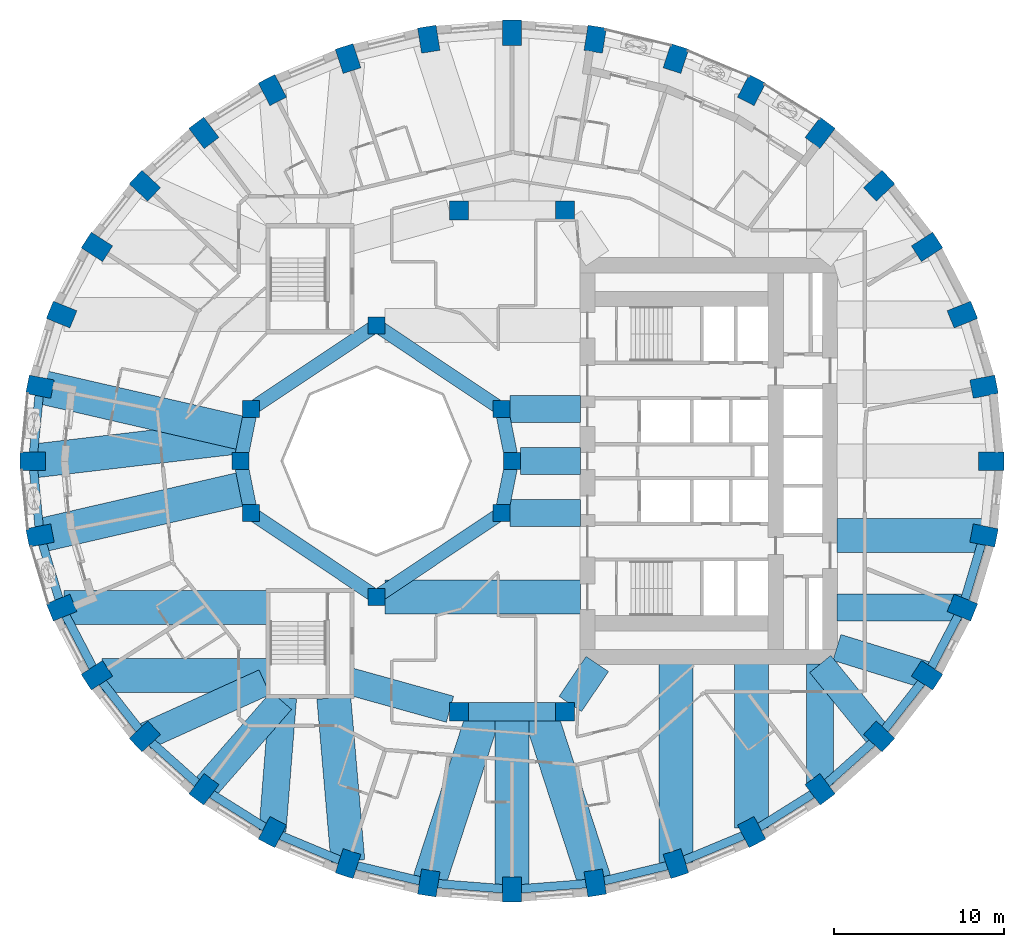
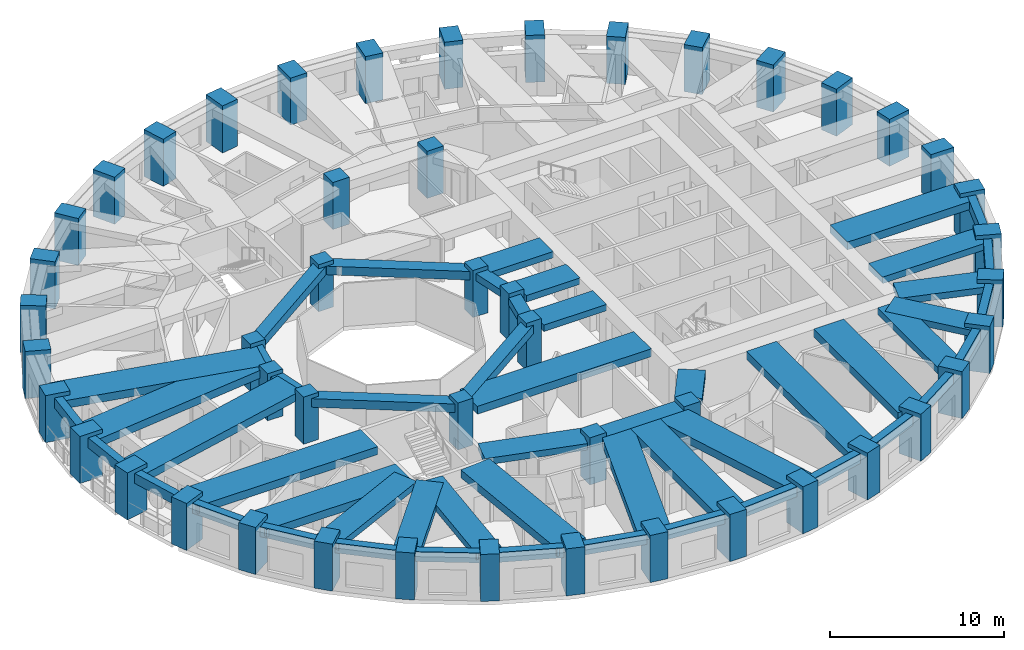
# One storey, part 1 of 13: 52 beams, 48 columns.
"""IFC4 building model written with IfcOpenShell, lengths in metres."""

from ifc_helpers import new_model, si_unit, direction, frame, origin, origin_2d, place, context, subcontext, project, spatial, rectangle, extrude, material, material_profile, profile_set, type_object, element, save


model = new_model("IFC4")

# Units and contexts
model_context = context("Model", 3, precision=1e-05, world=origin(), true_north=direction((0.0, 1.0)))
body_context = subcontext(model_context, "Body", "Model", "MODEL_VIEW")
ifc_project = project(units=[si_unit("LENGTHUNIT", "METRE"), si_unit("AREAUNIT", "SQUARE_METRE"), si_unit("VOLUMEUNIT", "CUBIC_METRE"), si_unit("PLANEANGLEUNIT", "RADIAN"), si_unit("MASSUNIT", "GRAM", prefix="KILO")], contexts=[model_context])

# Site, building, storey
site_placement = place(None, origin())
site = spatial("IfcSite", under=ifc_project, at=site_placement, CompositionType="ELEMENT")
building_placement = place(site_placement, origin())
building = spatial("IfcBuilding", under=site, at=building_placement, Name="Taillehof Tower", CompositionType="ELEMENT")
storey_placement = place(building_placement, frame((0.0, 0.0, 67.89990234375)))
storey = spatial("IfcBuildingStorey", under=building, at=storey_placement, Name="L18", CompositionType="ELEMENT", Elevation=67.89990234375)

# Columns
ifc_material_1 = material(Name="Concrete C50/60", Category="concrete")
ifc_material_profile_1 = material_profile(ifc_material_1, rectangle(XDim=1.0, YDim=1.0, at=origin_2d()), Name="RC 1000x1000")
ifc_profile_set_1 = profile_set([ifc_material_profile_1], Name="Concrete C50/60")
column_type_1 = type_object("IfcColumnType", Name="Atrium ring column C50/60 1000x1000", PredefinedType="COLUMN", material=ifc_profile_set_1)
for number, where, z_axis, x_axis, name in (
    (1, (0.0, 0.0, 0.0), (0.0, 0.0, 1.0), (1.0, 0.0, 0.0), "Column AC01"),
    (2, (-0.60888671875, 3.0615234375, 0.0), (0.0, 0.0, 1.0), (1.0, 0.0, 0.0), "Column AC02"),
    (3, (-8.0, 8.0, 0.0), (0.0, 0.0, 1.0), (1.0, 0.0, 0.0), "Column AC05"),
    (4, (-15.39111328125, 3.0615234375, 0.0), (0.0, 0.0, 1.0), (1.0, 0.0, 0.0), "Column AC08"),
    (5, (-16.0, 0.0, 0.0), (0.0, 0.0, 1.0), (1.0, 0.0, 0.0), "Column AC09"),
    (6, (-15.39111328125, -3.0615234375, 0.0), (0.0, 0.0, 1.0), (1.0, 0.0, 0.0), "Column AC10"),
    (7, (-8.0, -8.0, 0.0), (0.0, 0.0, 1.0), (1.0, 0.0, 0.0), "Column AC13"),
    (8, (-0.60888671875, -3.0615234375, 0.0), (0.0, 0.0, 1.0), (1.0, 0.0, 0.0), "Column AC16"),
):
    element("IfcColumn", number, at=place(storey_placement, frame(where, z_axis=z_axis, x_axis=x_axis)), inside=storey, type_object=column_type_1, Name=name, PredefinedType="COLUMN", context=body_context, shape_type="SweptSolid", body=[
        extrude(rectangle(XDim=1.0, YDim=1.0, at=origin_2d()), origin(), (0.0, 0.0, 1.0), 3.300048828125),
    ])
ifc_material_2 = material(Name="Concrete C50/60", Category="concrete")
ifc_material_profile_2 = material_profile(ifc_material_2, rectangle(XDim=1.10009765625, YDim=1.10009765625, at=origin_2d()), Name="RC 1100x1100")
ifc_profile_set_2 = profile_set([ifc_material_profile_2], Name="Concrete C50/60")
column_type_2 = type_object("IfcColumnType", Name="Mid-ring column C50/60 1100x1100", PredefinedType="COLUMN", material=ifc_profile_set_2)
for number, where, z_axis, x_axis, name in (
    (9, (3.125732421875, 14.772216796875, 0.0), (0.0, 0.0, 1.0), (1.0, 0.0, 0.0), "Column MC05"),
    (10, (3.125732421875, -14.772216796875, 0.0), (0.0, 0.0, 1.0), (1.0, 0.0, 0.0), "Column MC15"),
):
    element("IfcColumn", number, at=place(storey_placement, frame(where, z_axis=z_axis, x_axis=x_axis)), inside=storey, type_object=column_type_2, Name=name, PredefinedType="COLUMN", context=body_context, shape_type="SweptSolid", body=[
        extrude(rectangle(XDim=1.10009765625, YDim=1.10009765625, at=origin_2d()), origin(), (0.0, 0.0, 1.0), 3.300048828125),
    ])
ifc_material_3 = material(Name="Concrete C60/75", Category="concrete")
ifc_material_profile_3 = material_profile(ifc_material_3, rectangle(XDim=1.10009765625, YDim=1.10009765625, at=origin_2d()), Name="RC 1100x1100")
ifc_profile_set_3 = profile_set([ifc_material_profile_3], Name="Concrete C60/75")
column_type_3 = type_object("IfcColumnType", Name="Mid-ring column C60/75 1100x1100", PredefinedType="COLUMN", material=ifc_profile_set_3)
column_1_placement = place(storey_placement, frame((-3.125732421875, -14.772216796875, 0.0), z_axis=(0.0, 0.0, 1.0), x_axis=(1.0, 0.0, 0.0)))
element("IfcColumn", 11, at=column_1_placement, inside=storey, type_object=column_type_3, Name="Column MC14", PredefinedType="COLUMN", context=body_context, shape_type="SweptSolid", body=[
    extrude(rectangle(XDim=1.10009765625, YDim=1.10009765625, at=origin_2d()), origin(), (0.0, 0.0, 1.0), 3.300048828125),
])
ifc_material_4 = material(Name="Concrete C70/85", Category="concrete")
ifc_material_profile_4 = material_profile(ifc_material_4, rectangle(XDim=1.10009765625, YDim=1.10009765625, at=origin_2d()), Name="RC 1100x1100")
ifc_profile_set_4 = profile_set([ifc_material_profile_4], Name="Concrete C70/85")
column_type_4 = type_object("IfcColumnType", Name="Mid-ring column C70/85 1100x1100", PredefinedType="COLUMN", material=ifc_profile_set_4)
column_2_placement = place(storey_placement, frame((-3.125732421875, 14.772216796875, 0.0), z_axis=(0.0, 0.0, 1.0), x_axis=(1.0, 0.0, 0.0)))
element("IfcColumn", 12, at=column_2_placement, inside=storey, type_object=column_type_4, Name="Column MC06", PredefinedType="COLUMN", context=body_context, shape_type="SweptSolid", body=[
    extrude(rectangle(XDim=1.10009765625, YDim=1.10009765625, at=origin_2d()), origin(), (0.0, 0.0, 1.0), 3.300048828125),
])
ifc_material_5 = material(Name="Concrete C70/85", Category="concrete")
ifc_material_profile_5 = material_profile(ifc_material_5, rectangle(XDim=1.5, YDim=1.10009765625, at=origin_2d()), Name="RC 1500x1100")
ifc_profile_set_5 = profile_set([ifc_material_profile_5], Name="Concrete C70/85")
column_type_5 = type_object("IfcColumnType", Name="Ring column C70/85 1500x1100", PredefinedType="COLUMN", material=ifc_profile_set_5)
for number, where, z_axis, x_axis, name in (
    (13, (28.25, 0.0, 0.0), (0.0, 0.0, 1.0), (1.0, 0.0, 0.0), "Ring column RC01"),
    (14, (27.82080078125, 4.384521484375, 0.0), (0.0, 0.0, 1.0), (0.98120354895, 0.192975634545, 0.0), "Ring column RC02"),
    (15, (26.54638671875, 8.635986328125, 0.0), (0.0, 0.0, 1.0), (0.926558045297, 0.37615181602, 0.0), "Ring column RC03"),
    (16, (24.46533203125, 12.625, 0.0), (0.0, 0.0, 1.0), (0.840753565229, 0.541417992456, 0.0), "Ring column RC04"),
    (17, (21.640869140625, 16.23046875, 0.0), (0.0, 0.0, 1.0), (0.730113022917, 0.683326403535, 0.0), "Ring column RC05"),
    (18, (18.15869140625, 19.342529296875, 0.0), (0.0, 0.0, 1.0), (0.601173783055, 0.79911831575, 0.0), "Ring column RC06"),
    (19, (14.125, 21.8671875, 0.0), (0.0, 0.0, 1.0), (0.459691308511, 0.888078769524, 0.0), "Ring column RC07"),
    (20, (9.662109375, 23.727294921875, 0.0), (0.0, 0.0, 1.0), (0.310219183529, 0.950665060981, 0.0), "Ring column RC08"),
    (21, (4.905517578125, 24.866455078125, 0.0), (0.0, 0.0, 1.0), (0.15614709407, 0.987733812833, 0.0), "Ring column RC09"),
    (22, (0.0, 25.25, 0.0), (0.0, 0.0, 1.0), (0.0, 1.0, 0.0), "Ring column RC10"),
    (23, (-4.905517578125, 24.866455078125, 0.0), (0.0, 0.0, 1.0), (-0.15614709407, 0.987733812833, 0.0), "Ring column RC11"),
    (24, (-9.662109375, 23.727294921875, 0.0), (0.0, 0.0, 1.0), (-0.310219183529, 0.950665060981, 0.0), "Ring column RC12"),
    (25, (-14.125, 21.8671875, 0.0), (0.0, 0.0, 1.0), (-0.459691308511, 0.888078769524, 0.0), "Ring column RC13"),
    (26, (-18.15869140625, 19.342529296875, 0.0), (0.0, 0.0, 1.0), (-0.601173783055, 0.79911831575, 0.0), "Ring column RC14"),
    (27, (-21.640869140625, 16.23046875, 0.0), (0.0, 0.0, 1.0), (-0.730113022917, 0.683326403535, 0.0), "Ring column RC15"),
    (28, (-24.46533203125, 12.625, 0.0), (0.0, 0.0, 1.0), (-0.840753565229, 0.541417992456, 0.0), "Ring column RC16"),
    (29, (-26.54638671875, 8.635986328125, 0.0), (0.0, 0.0, 1.0), (-0.926558045297, 0.37615181602, 0.0), "Ring column RC17"),
    (30, (-27.82080078125, 4.384521484375, 0.0), (0.0, 0.0, 1.0), (-0.98120354895, 0.192975634545, 0.0), "Ring column RC18"),
    (31, (-28.25, 0.0, 0.0), (0.0, 0.0, 1.0), (-1.0, 0.0, 0.0), "Ring column RC19"),
    (32, (-27.82080078125, -4.384521484375, 0.0), (0.0, 0.0, 1.0), (-0.98120354895, -0.192975634545, 0.0), "Ring column RC20"),
    (33, (-26.54638671875, -8.635986328125, 0.0), (0.0, 0.0, 1.0), (-0.926558045297, -0.37615181602, 0.0), "Ring column RC21"),
    (34, (-24.46533203125, -12.625, 0.0), (0.0, 0.0, 1.0), (-0.840753565229, -0.541417992456, 0.0), "Ring column RC22"),
    (35, (-21.640869140625, -16.23046875, 0.0), (0.0, 0.0, 1.0), (-0.730113022917, -0.683326403535, 0.0), "Ring column RC23"),
    (36, (-18.15869140625, -19.342529296875, 0.0), (0.0, 0.0, 1.0), (-0.601173783055, -0.79911831575, 0.0), "Ring column RC24"),
    (37, (-14.125, -21.8671875, 0.0), (0.0, 0.0, 1.0), (-0.459691308511, -0.888078769524, 0.0), "Ring column RC25"),
    (38, (-9.662109375, -23.727294921875, 0.0), (0.0, 0.0, 1.0), (-0.310219183529, -0.950665060981, 0.0), "Ring column RC26"),
    (39, (-4.905517578125, -24.866455078125, 0.0), (0.0, 0.0, 1.0), (-0.15614709407, -0.987733812833, 0.0), "Ring column RC27"),
    (40, (0.0, -25.25, 0.0), (0.0, 0.0, 1.0), (0.0, -1.0, 0.0), "Ring column RC28"),
    (41, (4.905517578125, -24.866455078125, 0.0), (0.0, 0.0, 1.0), (0.15614709407, -0.987733812833, 0.0), "Ring column RC29"),
    (42, (9.662109375, -23.727294921875, 0.0), (0.0, 0.0, 1.0), (0.310219183529, -0.950665060981, 0.0), "Ring column RC30"),
    (43, (14.125, -21.8671875, 0.0), (0.0, 0.0, 1.0), (0.459691308511, -0.888078769524, 0.0), "Ring column RC31"),
    (44, (18.15869140625, -19.342529296875, 0.0), (0.0, 0.0, 1.0), (0.601173783055, -0.79911831575, 0.0), "Ring column RC32"),
    (45, (21.640869140625, -16.23046875, 0.0), (0.0, 0.0, 1.0), (0.730113022917, -0.683326403535, 0.0), "Ring column RC33"),
    (46, (24.46533203125, -12.625, 0.0), (0.0, 0.0, 1.0), (0.840753565229, -0.541417992456, 0.0), "Ring column RC34"),
    (47, (26.54638671875, -8.635986328125, 0.0), (0.0, 0.0, 1.0), (0.926558045297, -0.37615181602, 0.0), "Ring column RC35"),
    (48, (27.82080078125, -4.384521484375, 0.0), (0.0, 0.0, 1.0), (0.98120354895, -0.192975634545, 0.0), "Ring column RC36"),
):
    element("IfcColumn", number, at=place(storey_placement, frame(where, z_axis=z_axis, x_axis=x_axis)), inside=storey, type_object=column_type_5, Name=name, PredefinedType="COLUMN", context=body_context, shape_type="SweptSolid", body=[
        extrude(rectangle(XDim=1.5, YDim=1.10009765625, at=origin_2d()), origin(), (0.0, 0.0, 1.0), 3.300048828125),
    ])

# Beams
ifc_material_6 = material(Name="Concrete C50/60", Category="concrete")
ifc_material_profile_6 = material_profile(ifc_material_6, rectangle(XDim=0.800048828125, YDim=0.5, at=origin_2d()), Name="RC 800x500")
ifc_profile_set_6 = profile_set([ifc_material_profile_6], Name="Concrete C50/60")
beam_type_1 = type_object("IfcBeamType", Name="Atrium ring beam C50/60 800x500", PredefinedType="BEAM", material=ifc_profile_set_6)
for number, where, z_axis, x_axis, name in (
    (49, (0.0, 0.0, 2.77001953125), (-0.195063155143, 0.980790683839, 0.0), (-0.980790683839, -0.195063155143, 0.0), "Atrium ring beam AB01"),
    (50, (-15.39111328125, 3.0615234375, 2.77001953125), (-0.195063155143, -0.980790683839, 0.0), (0.980790683839, -0.195063155143, 0.0), "Atrium ring beam AB04"),
    (51, (-16.0, 0.0, 2.77001953125), (0.195063155143, -0.980790683839, 0.0), (0.980790683839, 0.195063155143, 0.0), "Atrium ring beam AB05"),
    (52, (-0.60888671875, -3.0615234375, 2.77001953125), (0.195063155143, 0.980790683839, 0.0), (-0.980790683839, 0.195063155143, 0.0), "Atrium ring beam AB08"),
):
    element("IfcBeam", number, at=place(storey_placement, frame(where, z_axis=z_axis, x_axis=x_axis)), inside=storey, type_object=beam_type_1, Name=name, PredefinedType="BEAM", context=body_context, shape_type="SweptSolid", body=[
        extrude(rectangle(XDim=0.800048828125, YDim=0.5, at=origin_2d()), origin(), (0.0, 0.0, 1.0), 3.12158203125),
    ])
ifc_material_7 = material(Name="Concrete C50/60", Category="concrete")
ifc_material_profile_7 = material_profile(ifc_material_7, rectangle(XDim=0.800048828125, YDim=0.60009765625, at=origin_2d()), Name="RC 800x600")
ifc_profile_set_7 = profile_set([ifc_material_profile_7], Name="Concrete C50/60")
beam_type_2 = type_object("IfcBeamType", Name="Atrium ring beam C50/60 800x600", PredefinedType="BEAM", material=ifc_profile_set_7)
for number, where, z_axis, x_axis, name in (
    (53, (-0.60888671875, 3.0615234375, 2.72021484375), (-0.831475195687, 0.555561876804, 0.0), (-0.555561876804, -0.831475195687, 0.0), "Atrium ring beam AB02"),
    (54, (-8.0, 8.0, 2.72021484375), (-0.831475195687, -0.555561876804, 0.0), (0.555561876804, -0.831475195687, 0.0), "Atrium ring beam AB03"),
    (55, (-15.39111328125, -3.0615234375, 2.72021484375), (0.831475195687, -0.555561876804, 0.0), (0.555561876804, 0.831475195687, 0.0), "Atrium ring beam AB06"),
    (56, (-8.0, -8.0, 2.72021484375), (0.831475195687, 0.555561876804, 0.0), (-0.555561876804, 0.831475195687, 0.0), "Atrium ring beam AB07"),
):
    element("IfcBeam", number, at=place(storey_placement, frame(where, z_axis=z_axis, x_axis=x_axis)), inside=storey, type_object=beam_type_2, Name=name, PredefinedType="BEAM", context=body_context, shape_type="SweptSolid", body=[
        extrude(rectangle(XDim=0.800048828125, YDim=0.60009765625, at=origin_2d()), origin(), (0.0, 0.0, 1.0), 8.88916015625),
    ])
ifc_material_8 = material(Name="Concrete C50/60", Category="concrete")
ifc_material_profile_8 = material_profile(ifc_material_8, rectangle(XDim=1.10009765625, YDim=0.60009765625, at=origin_2d()), Name="RC 1100x600")
ifc_profile_set_8 = profile_set([ifc_material_profile_8], Name="Concrete C50/60")
beam_type_3 = type_object("IfcBeamType", Name="Mid-ring beam C50/60 1100x600", PredefinedType="BEAM", material=ifc_profile_set_8)
beam_1_placement = place(storey_placement, frame((-3.125732421875, -14.772216796875, 2.72021484375), z_axis=(1.0, 0.0, 0.0), x_axis=(0.0, 1.0, 0.0)))
element("IfcBeam", 57, at=beam_1_placement, inside=storey, type_object=beam_type_3, Name="Mid-ring beam MB02", PredefinedType="BEAM", context=body_context, shape_type="SweptSolid", body=[
    extrude(rectangle(XDim=1.10009765625, YDim=0.60009765625, at=origin_2d()), origin(), (0.0, 0.0, 1.0), 6.25146484375),
])
ifc_material_9 = material(Name="Concrete C50/60", Category="concrete")
ifc_material_profile_9 = material_profile(ifc_material_9, rectangle(XDim=1.60009765625, YDim=0.449951171875, at=origin_2d()), Name="RC 1600x450")
ifc_profile_set_9 = profile_set([ifc_material_profile_9], Name="Concrete C50/60")
beam_type_4 = type_object("IfcBeamType", Name="Radial band beam C50/60 1600x450", PredefinedType="BEAM", material=ifc_profile_set_9)
beam_2_placement = place(storey_placement, frame((-21.632568359375, -16.226806640625, 2.795166015625), z_axis=(0.911100590789, 0.412184077161, 0.0), x_axis=(-0.412184077161, 0.911100590789, 0.0)))
element("IfcBeam", 58, at=beam_2_placement, inside=storey, type_object=beam_type_4, Name="Radial band beam RB23", PredefinedType="BEAM", context=body_context, shape_type="SweptSolid", body=[
    extrude(rectangle(XDim=1.60009765625, YDim=0.449951171875, at=origin_2d()), origin(), (0.0, 0.0, 1.0), 7.740966796875),
])
beam_3_placement = place(storey_placement, frame((-18.15869140625, -19.342529296875, 2.795166015625), z_axis=(0.65721824087, 0.753700327628, 0.0), x_axis=(-0.753700327628, 0.65721824087, 0.0)))
element("IfcBeam", 59, at=beam_3_placement, inside=storey, type_object=beam_type_4, Name="Radial band beam RB24", PredefinedType="BEAM", context=body_context, shape_type="SweptSolid", body=[
    extrude(rectangle(XDim=1.60009765625, YDim=0.449951171875, at=origin_2d()), origin(), (0.0, 0.0, 1.0), 6.9384765625),
])
beam_4_placement = place(storey_placement, frame((-14.119873046875, -21.802978515625, 2.795166015625), z_axis=(0.079184740988, 0.996859958467, 0.0), x_axis=(-0.996859958467, 0.079184740988, 0.0)))
element("IfcBeam", 60, at=beam_4_placement, inside=storey, type_object=beam_type_4, Name="Radial band beam RB25", PredefinedType="BEAM", context=body_context, shape_type="SweptSolid", body=[
    extrude(rectangle(XDim=1.60009765625, YDim=0.449951171875, at=origin_2d()), origin(), (0.0, 0.0, 1.0), 7.87744140625),
])
beam_5_placement = place(storey_placement, frame((18.15869140625, -19.05517578125, 2.795166015625), z_axis=(0.0, 1.0, 0.0), x_axis=(-1.0, 0.0, 0.0)))
element("IfcBeam", 61, at=beam_5_placement, inside=storey, type_object=beam_type_4, Name="Radial band beam RB32", PredefinedType="BEAM", context=body_context, shape_type="SweptSolid", body=[
    extrude(rectangle(XDim=1.60009765625, YDim=0.449951171875, at=origin_2d()), origin(), (0.0, 0.0, 1.0), 7.105224609375),
])
beam_6_placement = place(storey_placement, frame((21.640869140625, -16.23046875, 2.795166015625), z_axis=(-0.630988373846, 0.775792286679, 0.0), x_axis=(-0.775792286679, -0.630988373846, 0.0)))
element("IfcBeam", 62, at=beam_6_placement, inside=storey, type_object=beam_type_4, Name="Radial band beam RB33", PredefinedType="BEAM", context=body_context, shape_type="SweptSolid", body=[
    extrude(rectangle(XDim=1.60009765625, YDim=0.449951171875, at=origin_2d()), origin(), (0.0, 0.0, 1.0), 5.503173828125),
])
beam_7_placement = place(storey_placement, frame((24.46533203125, -12.625, 2.795166015625), z_axis=(-0.955535654338, 0.294875589511, 0.0), x_axis=(-0.294875589511, -0.955535654338, 0.0)))
element("IfcBeam", 63, at=beam_7_placement, inside=storey, type_object=beam_type_4, Name="Radial band beam RB34", PredefinedType="BEAM", context=body_context, shape_type="SweptSolid", body=[
    extrude(rectangle(XDim=1.60009765625, YDim=0.449951171875, at=origin_2d()), origin(), (0.0, 0.0, 1.0), 5.560546875),
])
beam_8_placement = place(storey_placement, frame((26.490478515625, -8.635986328125, 2.795166015625), z_axis=(-1.0, 0.0, 0.0), x_axis=(0.0, -1.0, 0.0)))
element("IfcBeam", 64, at=beam_8_placement, inside=storey, type_object=beam_type_4, Name="Radial band beam RB35", PredefinedType="BEAM", context=body_context, shape_type="SweptSolid", body=[
    extrude(rectangle(XDim=1.60009765625, YDim=0.449951171875, at=origin_2d()), origin(), (0.0, 0.0, 1.0), 7.340576171875),
])
beam_9_placement = place(storey_placement, frame((0.5, 0.0, 2.795166015625), z_axis=(1.0, 0.0, 0.0), x_axis=(0.0, 1.0, 0.0)))
element("IfcBeam", 65, at=beam_9_placement, inside=storey, type_object=beam_type_4, Name="Inner band beam IB101", PredefinedType="BEAM", context=body_context, shape_type="SweptSolid", body=[
    extrude(rectangle(XDim=1.60009765625, YDim=0.449951171875, at=origin_2d()), origin(), (0.0, 0.0, 1.0), 3.550048828125),
])
for number, where, z_axis, x_axis, name in (
    (66, (-0.10888671875, 3.0615234375, 2.795166015625), (1.0, 0.0, 0.0), (0.0, 1.0, 0.0), "Inner band beam IB102"),
    (67, (-0.10888671875, -3.0615234375, 2.795166015625), (1.0, 0.0, 0.0), (0.0, 1.0, 0.0), "Inner band beam IB116"),
):
    element("IfcBeam", number, at=place(storey_placement, frame(where, z_axis=z_axis, x_axis=x_axis)), inside=storey, type_object=beam_type_4, Name=name, PredefinedType="BEAM", context=body_context, shape_type="SweptSolid", body=[
        extrude(rectangle(XDim=1.60009765625, YDim=0.449951171875, at=origin_2d()), origin(), (0.0, 0.0, 1.0), 4.158935546875),
    ])
beam_10_placement = place(storey_placement, frame((-3.655517578125, -14.624755859375, 2.795166015625), z_axis=(-0.963459369536, 0.267854518821, 0.0), x_axis=(-0.267854518821, -0.963459369536, 0.0)))
element("IfcBeam", 68, at=beam_10_placement, inside=storey, type_object=beam_type_4, Name="Inner band beam IB214", PredefinedType="BEAM", context=body_context, shape_type="SweptSolid", body=[
    extrude(rectangle(XDim=1.60009765625, YDim=0.449951171875, at=origin_2d()), origin(), (0.0, 0.0, 1.0), 6.096923828125),
])
beam_11_placement = place(storey_placement, frame((3.433837890625, -14.31640625, 2.795166015625), z_axis=(0.560112043398, 0.828416862962, 0.0), x_axis=(-0.828416862962, 0.560112043398, 0.0)))
element("IfcBeam", 69, at=beam_11_placement, inside=storey, type_object=beam_type_4, Name="Inner band beam IB215", PredefinedType="BEAM", context=body_context, shape_type="SweptSolid", body=[
    extrude(rectangle(XDim=1.60009765625, YDim=0.449951171875, at=origin_2d()), origin(), (0.0, 0.0, 1.0), 2.84619140625),
])
ifc_material_10 = material(Name="Concrete C50/60", Category="concrete")
ifc_material_profile_10 = material_profile(ifc_material_10, rectangle(XDim=2.0, YDim=0.550048828125, at=origin_2d()), Name="RC 2000x550")
ifc_profile_set_10 = profile_set([ifc_material_profile_10], Name="Concrete C50/60")
beam_type_5 = type_object("IfcBeamType", Name="Radial band beam C50/60 2000x550", PredefinedType="BEAM", material=ifc_profile_set_10)
beam_12_placement = place(storey_placement, frame((-27.82080078125, 4.384521484375, 2.7451171875), z_axis=(0.974509005862, -0.2243483842, 0.0), x_axis=(0.2243483842, 0.974509005862, 0.0)))
element("IfcBeam", 70, at=beam_12_placement, inside=storey, type_object=beam_type_5, Name="Radial band beam RB18", PredefinedType="BEAM", context=body_context, shape_type="SweptSolid", body=[
    extrude(rectangle(XDim=2.0, YDim=0.550048828125, at=origin_2d()), origin(), (0.0, 0.0, 1.0), 12.45458984375),
])
beam_13_placement = place(storey_placement, frame((-28.25, 0.0, 2.7451171875), z_axis=(0.993191188018, 0.11649576835, 0.0), x_axis=(-0.11649576835, 0.993191188018, 0.0)))
element("IfcBeam", 71, at=beam_13_placement, inside=storey, type_object=beam_type_5, Name="Radial band beam RB19", PredefinedType="BEAM", context=body_context, shape_type="SweptSolid", body=[
    extrude(rectangle(XDim=2.0, YDim=0.550048828125, at=origin_2d()), origin(), (0.0, 0.0, 1.0), 12.628662109375),
])
beam_14_placement = place(storey_placement, frame((-27.82080078125, -4.384521484375, 2.7451171875), z_axis=(0.974509005862, 0.2243483842, 0.0), x_axis=(-0.2243483842, 0.974509005862, 0.0)))
element("IfcBeam", 72, at=beam_14_placement, inside=storey, type_object=beam_type_5, Name="Radial band beam RB20", PredefinedType="BEAM", context=body_context, shape_type="SweptSolid", body=[
    extrude(rectangle(XDim=2.0, YDim=0.550048828125, at=origin_2d()), origin(), (0.0, 0.0, 1.0), 12.45458984375),
])
beam_15_placement = place(storey_placement, frame((-26.408935546875, -8.635986328125, 2.7451171875), z_axis=(1.0, 0.0, 0.0), x_axis=(0.0, 1.0, 0.0)))
element("IfcBeam", 73, at=beam_15_placement, inside=storey, type_object=beam_type_5, Name="Radial band beam RB21", PredefinedType="BEAM", context=body_context, shape_type="SweptSolid", body=[
    extrude(rectangle(XDim=2.0, YDim=0.550048828125, at=origin_2d()), origin(), (0.0, 0.0, 1.0), 11.958984375),
])
beam_16_placement = place(storey_placement, frame((-24.172607421875, -12.625, 2.7451171875), z_axis=(1.0, 0.0, 0.0), x_axis=(0.0, 1.0, 0.0)))
element("IfcBeam", 74, at=beam_16_placement, inside=storey, type_object=beam_type_5, Name="Radial band beam RB22", PredefinedType="BEAM", context=body_context, shape_type="SweptSolid", body=[
    extrude(rectangle(XDim=2.0, YDim=0.550048828125, at=origin_2d()), origin(), (0.0, 0.0, 1.0), 9.72265625),
])
beam_17_placement = place(storey_placement, frame((-9.675048828125, -23.575927734375, 2.7451171875), z_axis=(-0.085841202752, 0.996308831593, 0.0), x_axis=(-0.996308831593, -0.085841202752, 0.0)))
element("IfcBeam", 75, at=beam_17_placement, inside=storey, type_object=beam_type_5, Name="Radial band beam RB26", PredefinedType="BEAM", context=body_context, shape_type="SweptSolid", body=[
    extrude(rectangle(XDim=2.0, YDim=0.550048828125, at=origin_2d()), origin(), (0.0, 0.0, 1.0), 9.661376953125),
])
beam_18_placement = place(storey_placement, frame((-4.905517578125, -24.866455078125, 2.7451171875), z_axis=(0.309014294595, 0.951057393503, 0.0), x_axis=(-0.951057393503, 0.309014294595, 0.0)))
element("IfcBeam", 76, at=beam_18_placement, inside=storey, type_object=beam_type_5, Name="Radial band beam RB27", PredefinedType="BEAM", context=body_context, shape_type="SweptSolid", body=[
    extrude(rectangle(XDim=2.0, YDim=0.550048828125, at=origin_2d()), origin(), (0.0, 0.0, 1.0), 10.61376953125),
])
beam_19_placement = place(storey_placement, frame((0.0, -25.25, 2.7451171875), z_axis=(0.0, 1.0, 0.0), x_axis=(-1.0, 0.0, 0.0)))
element("IfcBeam", 77, at=beam_19_placement, inside=storey, type_object=beam_type_5, Name="Radial band beam RB28", PredefinedType="BEAM", context=body_context, shape_type="SweptSolid", body=[
    extrude(rectangle(XDim=2.0, YDim=0.550048828125, at=origin_2d()), origin(), (0.0, 0.0, 1.0), 10.477783203125),
])
beam_20_placement = place(storey_placement, frame((4.905517578125, -24.866455078125, 2.7451171875), z_axis=(-0.309014294595, 0.951057393503, 0.0), x_axis=(-0.951057393503, -0.309014294595, 0.0)))
element("IfcBeam", 78, at=beam_20_placement, inside=storey, type_object=beam_type_5, Name="Radial band beam RB29", PredefinedType="BEAM", context=body_context, shape_type="SweptSolid", body=[
    extrude(rectangle(XDim=2.0, YDim=0.550048828125, at=origin_2d()), origin(), (0.0, 0.0, 1.0), 10.61376953125),
])
beam_21_placement = place(storey_placement, frame((9.662109375, -23.664794921875, 2.7451171875), z_axis=(0.0, 1.0, 0.0), x_axis=(-1.0, 0.0, 0.0)))
element("IfcBeam", 79, at=beam_21_placement, inside=storey, type_object=beam_type_5, Name="Radial band beam RB30", PredefinedType="BEAM", context=body_context, shape_type="SweptSolid", body=[
    extrude(rectangle(XDim=2.0, YDim=0.550048828125, at=origin_2d()), origin(), (0.0, 0.0, 1.0), 11.71484375),
])
beam_22_placement = place(storey_placement, frame((14.125, -21.63232421875, 2.7451171875), z_axis=(0.0, 1.0, 0.0), x_axis=(-1.0, 0.0, 0.0)))
element("IfcBeam", 80, at=beam_22_placement, inside=storey, type_object=beam_type_5, Name="Radial band beam RB31", PredefinedType="BEAM", context=body_context, shape_type="SweptSolid", body=[
    extrude(rectangle(XDim=2.0, YDim=0.550048828125, at=origin_2d()), origin(), (0.0, 0.0, 1.0), 9.682373046875),
])
beam_23_placement = place(storey_placement, frame((27.82080078125, -4.384521484375, 2.7451171875), z_axis=(-1.0, 0.0, 0.0), x_axis=(0.0, -1.0, 0.0)))
element("IfcBeam", 81, at=beam_23_placement, inside=storey, type_object=beam_type_5, Name="Radial band beam RB36", PredefinedType="BEAM", context=body_context, shape_type="SweptSolid", body=[
    extrude(rectangle(XDim=2.0, YDim=0.550048828125, at=origin_2d()), origin(), (0.0, 0.0, 1.0), 8.6708984375),
])
beam_24_placement = place(storey_placement, frame((-7.5, -8.0, 2.7451171875), z_axis=(1.0, 0.0, 0.0), x_axis=(0.0, 1.0, 0.0)))
element("IfcBeam", 82, at=beam_24_placement, inside=storey, type_object=beam_type_5, Name="Inner band beam IB113", PredefinedType="BEAM", context=body_context, shape_type="SweptSolid", body=[
    extrude(rectangle(XDim=2.0, YDim=0.550048828125, at=origin_2d()), origin(), (0.0, 0.0, 1.0), 11.550048828125),
])
ifc_material_11 = material(Name="Concrete C50/60", Category="concrete")
ifc_material_profile_11 = material_profile(ifc_material_11, rectangle(XDim=0.5, YDim=0.699951171875, at=origin_2d()), Name="RC 500x700")
ifc_profile_set_11 = profile_set([ifc_material_profile_11], Name="Concrete C50/60")
beam_type_6 = type_object("IfcBeamType", Name="Spandrel beam C50/60 500x700", PredefinedType="SPANDREL", material=ifc_profile_set_11)
for number, where, z_axis, x_axis, name in (
    (83, (-27.82080078125, 4.384521484375, 2.670166015625), (-0.097423973567, -0.99524297002, 0.0), (0.99524297002, -0.097423973567, 0.0), "Spandrel beam SB18"),
    (84, (-28.25, 0.0, 2.670166015625), (0.097423973567, -0.99524297002, 0.0), (0.99524297002, 0.097423973567, 0.0), "Spandrel beam SB19"),
):
    element("IfcBeam", number, at=place(storey_placement, frame(where, z_axis=z_axis, x_axis=x_axis)), inside=storey, type_object=beam_type_6, Name=name, PredefinedType="SPANDREL", context=body_context, shape_type="SweptSolid", body=[
        extrude(rectangle(XDim=0.5, YDim=0.699951171875, at=origin_2d()), origin(), (0.0, 0.0, 1.0), 4.405517578125),
    ])
beam_25_placement = place(storey_placement, frame((-27.82080078125, -4.384521484375, 2.670166015625), z_axis=(0.287135925407, -0.957889847707, 0.0), x_axis=(0.957889847707, 0.287135925407, 0.0)))
element("IfcBeam", 85, at=beam_25_placement, inside=storey, type_object=beam_type_6, Name="Spandrel beam SB20", PredefinedType="SPANDREL", context=body_context, shape_type="SweptSolid", body=[
    extrude(rectangle(XDim=0.5, YDim=0.699951171875, at=origin_2d()), origin(), (0.0, 0.0, 1.0), 4.4384765625),
])
beam_26_placement = place(storey_placement, frame((-26.54638671875, -8.635986328125, 2.670166015625), z_axis=(0.462536335232, -0.886600326297, 0.0), x_axis=(0.886600326297, 0.462536335232, 0.0)))
element("IfcBeam", 86, at=beam_26_placement, inside=storey, type_object=beam_type_6, Name="Spandrel beam SB21", PredefinedType="SPANDREL", context=body_context, shape_type="SweptSolid", body=[
    extrude(rectangle(XDim=0.5, YDim=0.699951171875, at=origin_2d()), origin(), (0.0, 0.0, 1.0), 4.499267578125),
])
beam_27_placement = place(storey_placement, frame((-24.46533203125, -12.625, 2.670166015625), z_axis=(0.616686200373, -0.787209076593, 0.0), x_axis=(0.787209076593, 0.616686200373, 0.0)))
element("IfcBeam", 87, at=beam_27_placement, inside=storey, type_object=beam_type_6, Name="Spandrel beam SB22", PredefinedType="SPANDREL", context=body_context, shape_type="SweptSolid", body=[
    extrude(rectangle(XDim=0.5, YDim=0.699951171875, at=origin_2d()), origin(), (0.0, 0.0, 1.0), 4.580078125),
])
beam_28_placement = place(storey_placement, frame((-21.640869140625, -16.23046875, 2.670166015625), z_axis=(0.745621283614, -0.666369943366, 0.0), x_axis=(0.666369943366, 0.745621283614, 0.0)))
element("IfcBeam", 88, at=beam_28_placement, inside=storey, type_object=beam_type_6, Name="Spandrel beam SB23", PredefinedType="SPANDREL", context=body_context, shape_type="SweptSolid", body=[
    extrude(rectangle(XDim=0.5, YDim=0.699951171875, at=origin_2d()), origin(), (0.0, 0.0, 1.0), 4.670166015625),
])
beam_29_placement = place(storey_placement, frame((-18.15869140625, -19.342529296875, 2.670166015625), z_axis=(0.847658018883, -0.530543007703, 0.0), x_axis=(0.530543007703, 0.847658018883, 0.0)))
element("IfcBeam", 89, at=beam_29_placement, inside=storey, type_object=beam_type_6, Name="Spandrel beam SB24", PredefinedType="SPANDREL", context=body_context, shape_type="SweptSolid", body=[
    extrude(rectangle(XDim=0.5, YDim=0.699951171875, at=origin_2d()), origin(), (0.0, 0.0, 1.0), 4.758544921875),
])
beam_30_placement = place(storey_placement, frame((-14.125, -21.8671875, 2.670166015625), z_axis=(0.923035088053, -0.384715773297, 0.0), x_axis=(0.384715773297, 0.923035088053, 0.0)))
element("IfcBeam", 90, at=beam_30_placement, inside=storey, type_object=beam_type_6, Name="Spandrel beam SB25", PredefinedType="SPANDREL", context=body_context, shape_type="SweptSolid", body=[
    extrude(rectangle(XDim=0.5, YDim=0.699951171875, at=origin_2d()), origin(), (0.0, 0.0, 1.0), 4.8349609375),
])
beam_31_placement = place(storey_placement, frame((-9.662109375, -23.727294921875, 2.670166015625), z_axis=(0.9724995553, -0.232904733616, 0.0), x_axis=(0.232904733616, 0.9724995553, 0.0)))
element("IfcBeam", 91, at=beam_31_placement, inside=storey, type_object=beam_type_6, Name="Spandrel beam SB26", PredefinedType="SPANDREL", context=body_context, shape_type="SweptSolid", body=[
    extrude(rectangle(XDim=0.5, YDim=0.699951171875, at=origin_2d()), origin(), (0.0, 0.0, 1.0), 4.89111328125),
])
for number, where, z_axis, x_axis, name in (
    (92, (-4.905517578125, -24.866455078125, 2.670166015625), (0.996957383661, -0.077948541767, 0.0), (0.077948541767, 0.996957383661, 0.0), "Spandrel beam SB27"),
    (93, (0.0, -25.25, 2.670166015625), (0.996957383661, 0.077948541767, 0.0), (-0.077948541767, 0.996957383661, 0.0), "Spandrel beam SB28"),
):
    element("IfcBeam", number, at=place(storey_placement, frame(where, z_axis=z_axis, x_axis=x_axis)), inside=storey, type_object=beam_type_6, Name=name, PredefinedType="SPANDREL", context=body_context, shape_type="SweptSolid", body=[
        extrude(rectangle(XDim=0.5, YDim=0.699951171875, at=origin_2d()), origin(), (0.0, 0.0, 1.0), 4.92041015625),
    ])
beam_32_placement = place(storey_placement, frame((4.905517578125, -24.866455078125, 2.670166015625), z_axis=(0.9724995553, 0.232904733616, 0.0), x_axis=(-0.232904733616, 0.9724995553, 0.0)))
element("IfcBeam", 94, at=beam_32_placement, inside=storey, type_object=beam_type_6, Name="Spandrel beam SB29", PredefinedType="SPANDREL", context=body_context, shape_type="SweptSolid", body=[
    extrude(rectangle(XDim=0.5, YDim=0.699951171875, at=origin_2d()), origin(), (0.0, 0.0, 1.0), 4.89111328125),
])
beam_33_placement = place(storey_placement, frame((9.662109375, -23.727294921875, 2.670166015625), z_axis=(0.923035088053, 0.384715773297, 0.0), x_axis=(-0.384715773297, 0.923035088053, 0.0)))
element("IfcBeam", 95, at=beam_33_placement, inside=storey, type_object=beam_type_6, Name="Spandrel beam SB30", PredefinedType="SPANDREL", context=body_context, shape_type="SweptSolid", body=[
    extrude(rectangle(XDim=0.5, YDim=0.699951171875, at=origin_2d()), origin(), (0.0, 0.0, 1.0), 4.8349609375),
])
beam_34_placement = place(storey_placement, frame((14.125, -21.8671875, 2.670166015625), z_axis=(0.847658018883, 0.530543007703, 0.0), x_axis=(-0.530543007703, 0.847658018883, 0.0)))
element("IfcBeam", 96, at=beam_34_placement, inside=storey, type_object=beam_type_6, Name="Spandrel beam SB31", PredefinedType="SPANDREL", context=body_context, shape_type="SweptSolid", body=[
    extrude(rectangle(XDim=0.5, YDim=0.699951171875, at=origin_2d()), origin(), (0.0, 0.0, 1.0), 4.758544921875),
])
beam_35_placement = place(storey_placement, frame((18.15869140625, -19.342529296875, 2.670166015625), z_axis=(0.745621283614, 0.666369943366, 0.0), x_axis=(-0.666369943366, 0.745621283614, 0.0)))
element("IfcBeam", 97, at=beam_35_placement, inside=storey, type_object=beam_type_6, Name="Spandrel beam SB32", PredefinedType="SPANDREL", context=body_context, shape_type="SweptSolid", body=[
    extrude(rectangle(XDim=0.5, YDim=0.699951171875, at=origin_2d()), origin(), (0.0, 0.0, 1.0), 4.670166015625),
])
beam_36_placement = place(storey_placement, frame((21.640869140625, -16.23046875, 2.670166015625), z_axis=(0.616686200373, 0.787209076593, 0.0), x_axis=(-0.787209076593, 0.616686200373, 0.0)))
element("IfcBeam", 98, at=beam_36_placement, inside=storey, type_object=beam_type_6, Name="Spandrel beam SB33", PredefinedType="SPANDREL", context=body_context, shape_type="SweptSolid", body=[
    extrude(rectangle(XDim=0.5, YDim=0.699951171875, at=origin_2d()), origin(), (0.0, 0.0, 1.0), 4.580078125),
])
beam_37_placement = place(storey_placement, frame((24.46533203125, -12.625, 2.670166015625), z_axis=(0.462536335232, 0.886600326297, 0.0), x_axis=(-0.886600326297, 0.462536335232, 0.0)))
element("IfcBeam", 99, at=beam_37_placement, inside=storey, type_object=beam_type_6, Name="Spandrel beam SB34", PredefinedType="SPANDREL", context=body_context, shape_type="SweptSolid", body=[
    extrude(rectangle(XDim=0.5, YDim=0.699951171875, at=origin_2d()), origin(), (0.0, 0.0, 1.0), 4.499267578125),
])
beam_38_placement = place(storey_placement, frame((26.54638671875, -8.635986328125, 2.670166015625), z_axis=(0.287135925407, 0.957889847707, 0.0), x_axis=(-0.957889847707, 0.287135925407, 0.0)))
element("IfcBeam", 100, at=beam_38_placement, inside=storey, type_object=beam_type_6, Name="Spandrel beam SB35", PredefinedType="SPANDREL", context=body_context, shape_type="SweptSolid", body=[
    extrude(rectangle(XDim=0.5, YDim=0.699951171875, at=origin_2d()), origin(), (0.0, 0.0, 1.0), 4.4384765625),
])

save(model, "model.ifc")
